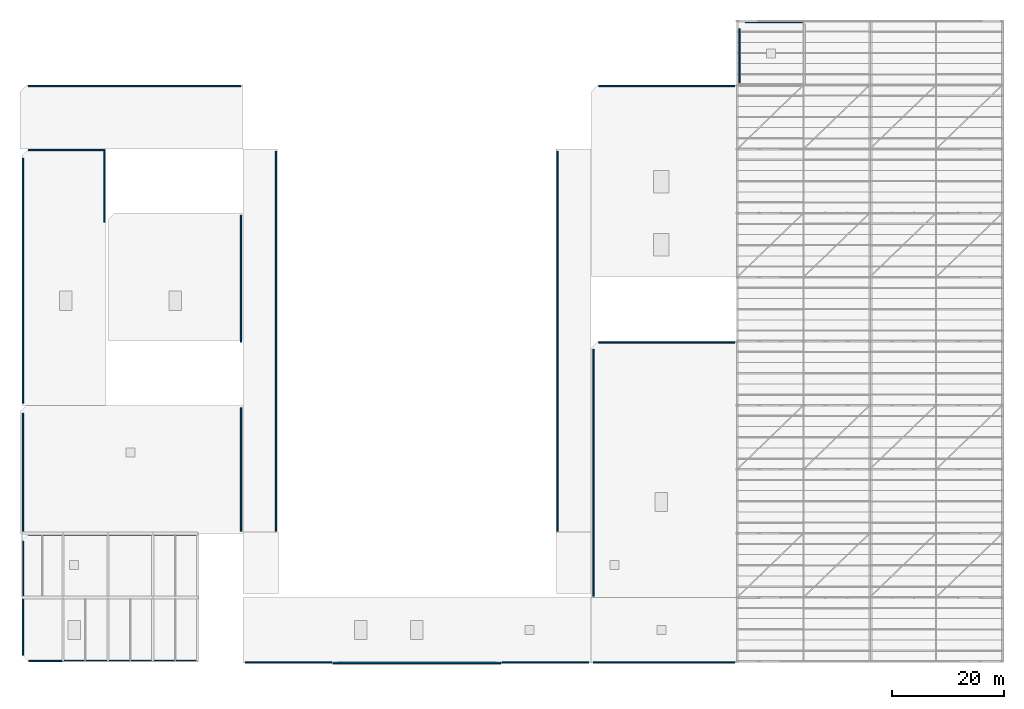
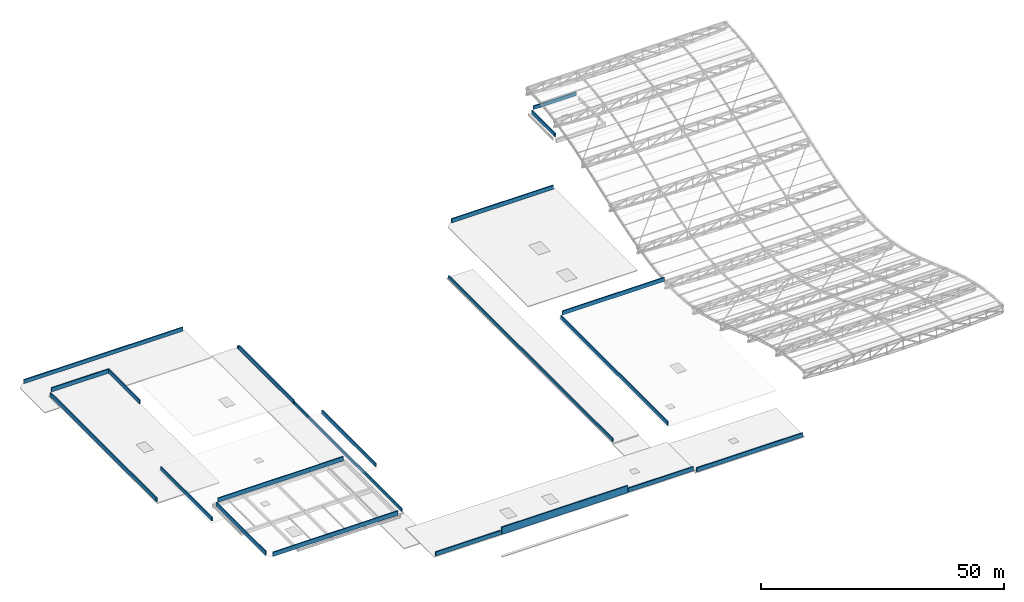
# One storey, part 64 of 65: 21 walls.
"""IFC4 building model written with IfcOpenShell, lengths in metres."""

from ifc_helpers import new_model, si_unit, direction, frame, frame_2d, origin, place, context, subcontext, project, spatial, rectangle, extrude, material, layer, layer_set, type_object, element, save


model = new_model("IFC4")

# Units and contexts
model_context = context("Model", 3, precision=1e-05, world=origin(), true_north=direction((0.0, 1.0)))
body_context = subcontext(model_context, "Body", "Model", "MODEL_VIEW")
ifc_project = project(units=[si_unit("LENGTHUNIT", "METRE"), si_unit("AREAUNIT", "SQUARE_METRE"), si_unit("VOLUMEUNIT", "CUBIC_METRE"), si_unit("PLANEANGLEUNIT", "RADIAN"), si_unit("MASSUNIT", "GRAM", prefix="KILO"), si_unit("POWERUNIT", "WATT"), si_unit("THERMODYNAMICTEMPERATUREUNIT", "KELVIN")], contexts=[model_context])

# Site, building, storey
site_placement = place(None, origin())
site = spatial("IfcSite", under=ifc_project, at=site_placement, CompositionType="ELEMENT")
building_placement = place(site_placement, origin())
building = spatial("IfcBuilding", under=site, at=building_placement, Name="Kelmbourne Parkland Aquatics Centre", CompositionType="ELEMENT")
storey_placement = place(building_placement, frame((0.0, 0.0, 27.0)))
storey = spatial("IfcBuildingStorey", under=building, at=storey_placement, Name="RF", CompositionType="ELEMENT", Elevation=27.0)

# Walls
ifc_material = material(Name="Russet clinker clay brickwork", Category="masonry")
ifc_layer = layer(ifc_material, 0.27001953125)
ifc_layer_set = layer_set([ifc_layer], Name="Russet clinker clay brickwork")
wall_type = type_object("IfcWallType", Name="W-PAR-270", PredefinedType="PARAPET", material=ifc_layer_set)
wall_1_placement = place(storey_placement, frame((56.0, 0.550048828125, -16.199951171875), z_axis=(0.0, 0.0, 1.0), x_axis=(1.0, 0.0, 0.0)))
element("IfcWall", 1, at=wall_1_placement, inside=storey, type_object=wall_type, Name="Corbelled brick roof parapet PAR-V3-PORTAL", PredefinedType="PARAPET", context=body_context, shape_type="SweptSolid", body=[
    extrude(rectangle(XDim=30.0, YDim=0.27001953125, at=frame_2d((15.0, 0.0))), origin(), (0.0, 0.0, 1.0), 1.800048828125),
])
for number, where, z_axis, x_axis, name in (
    (2, (40.39990234375, 0.64990234375, -16.199951171875), (0.0, 0.0, 1.0), (1.0, 0.0, 0.0), "Corbelled brick roof parapet PAR-V3-SW"),
    (3, (86.199951171875, 0.64990234375, -16.199951171875), (0.0, 0.0, 1.0), (1.0, 0.0, 0.0), "Corbelled brick roof parapet PAR-V3-SE"),
):
    element("IfcWall", number, at=place(storey_placement, frame(where, z_axis=z_axis, x_axis=x_axis)), inside=storey, type_object=wall_type, Name=name, PredefinedType="PARAPET", context=body_context, shape_type="SweptSolid", body=[
        extrude(rectangle(XDim=15.400146484375, YDim=0.27001953125, at=frame_2d((7.7001953125, 0.0))), origin(), (0.0, 0.0, 1.0), 1.0),
    ])
wall_2_placement = place(storey_placement, frame((102.39990234375, 0.64990234375, -16.800048828125), z_axis=(0.0, 0.0, 1.0), x_axis=(1.0, 0.0, 0.0)))
element("IfcWall", 4, at=wall_2_placement, inside=storey, type_object=wall_type, Name="Corbelled brick roof parapet PAR-V4-S", PredefinedType="PARAPET", context=body_context, shape_type="SweptSolid", body=[
    extrude(rectangle(XDim=25.2001953125, YDim=0.27001953125, at=frame_2d((12.60009765625, 0.0))), origin(), (0.0, 0.0, 1.0), 1.0),
])
wall_3_placement = place(storey_placement, frame((103.39990234375, 103.199951171875, -16.800048828125), z_axis=(0.0, 0.0, 1.0), x_axis=(1.0, 0.0, 0.0)))
element("IfcWall", 5, at=wall_3_placement, inside=storey, type_object=wall_type, Name="Corbelled brick roof parapet PAR-V4-N", PredefinedType="PARAPET", context=body_context, shape_type="SweptSolid", body=[
    extrude(rectangle(XDim=24.2001953125, YDim=0.27001953125, at=frame_2d((12.10009765625, 0.0))), origin(), (0.0, 0.0, 1.0), 1.0),
])
wall_4_placement = place(storey_placement, frame((102.39990234375, 12.39990234375, -12.300048828125), z_axis=(0.0, 0.0, 1.0), x_axis=(0.0, 1.0, 0.0)))
element("IfcWall", 6, at=wall_4_placement, inside=storey, type_object=wall_type, Name="Corbelled brick roof parapet PAR-V4-CLUB-W", PredefinedType="PARAPET", context=body_context, shape_type="SweptSolid", body=[
    extrude(rectangle(XDim=44.0, YDim=0.27001953125, at=frame_2d((22.0, 0.0))), origin(), (0.0, 0.0, 1.0), 1.0),
])
wall_5_placement = place(storey_placement, frame((103.39990234375, 57.60009765625, -12.300048828125), z_axis=(0.0, 0.0, 1.0), x_axis=(1.0, 0.0, 0.0)))
element("IfcWall", 7, at=wall_5_placement, inside=storey, type_object=wall_type, Name="Corbelled brick roof parapet PAR-V4-CLUB-N", PredefinedType="PARAPET", context=body_context, shape_type="SweptSolid", body=[
    extrude(rectangle(XDim=24.2001953125, YDim=0.27001953125, at=frame_2d((12.10009765625, 0.0))), origin(), (0.0, 0.0, 1.0), 1.0),
])
wall_6_placement = place(storey_placement, frame((1.800048828125, 103.199951171875, -21.60009765625), z_axis=(0.0, 0.0, 1.0), x_axis=(1.0, 0.0, 0.0)))
element("IfcWall", 8, at=wall_6_placement, inside=storey, type_object=wall_type, Name="Corbelled brick roof parapet PAR-V5-N0-N", PredefinedType="PARAPET", context=body_context, shape_type="SweptSolid", body=[
    extrude(rectangle(XDim=37.800048828125, YDim=0.27001953125, at=frame_2d((18.89990234375, 0.0))), origin(), (0.0, 0.0, 1.0), 0.9501953125),
])
wall_7_placement = place(storey_placement, frame((0.85009765625, 46.800048828125, -16.800048828125), z_axis=(0.0, 0.0, 1.0), x_axis=(0.0, 1.0, 0.0)))
element("IfcWall", 9, at=wall_7_placement, inside=storey, type_object=wall_type, Name="Corbelled brick roof parapet PAR-V5-W1-W", PredefinedType="PARAPET", context=body_context, shape_type="SweptSolid", body=[
    extrude(rectangle(XDim=43.599853515625, YDim=0.27001953125, at=frame_2d((21.7998046875, 0.0))), origin(), (0.0, 0.0, 1.0), 1.0),
])
wall_8_placement = place(storey_placement, frame((15.419921875, 79.0, -16.800048828125), z_axis=(0.0, 0.0, 1.0), x_axis=(0.0, 1.0, 0.0)))
element("IfcWall", 10, at=wall_8_placement, inside=storey, type_object=wall_type, Name="Corbelled brick roof parapet PAR-V5-W1-E", PredefinedType="PARAPET", context=body_context, shape_type="SweptSolid", body=[
    extrude(rectangle(XDim=12.85009765625, YDim=0.27001953125, at=frame_2d((6.425048828125, 0.0))), origin(), (0.0, 0.0, 1.0), 1.0),
])
wall_9_placement = place(storey_placement, frame((1.800048828125, 91.85009765625, -16.800048828125), z_axis=(0.0, 0.0, 1.0), x_axis=(1.0, 0.0, 0.0)))
element("IfcWall", 11, at=wall_9_placement, inside=storey, type_object=wall_type, Name="Corbelled brick roof parapet PAR-V5-W1-N", PredefinedType="PARAPET", context=body_context, shape_type="SweptSolid", body=[
    extrude(rectangle(XDim=13.619873046875, YDim=0.27001953125, at=frame_2d((6.81005859375, 0.0))), origin(), (0.0, 0.0, 1.0), 1.0),
])
wall_10_placement = place(storey_placement, frame((39.699951171875, 57.60009765625, -12.300048828125), z_axis=(0.0, 0.0, 1.0), x_axis=(0.0, 1.0, 0.0)))
element("IfcWall", 12, at=wall_10_placement, inside=storey, type_object=wall_type, Name="Corbelled brick roof parapet PAR-V5-M2-E", PredefinedType="PARAPET", context=body_context, shape_type="SweptSolid", body=[
    extrude(rectangle(XDim=22.599853515625, YDim=0.27001953125, at=frame_2d((11.2998046875, 0.0))), origin(), (0.0, 0.0, 1.0), 0.949951171875),
])
wall_11_placement = place(storey_placement, frame((0.85009765625, 24.0, -7.800048828125), z_axis=(0.0, 0.0, 1.0), x_axis=(0.0, 1.0, 0.0)))
element("IfcWall", 13, at=wall_11_placement, inside=storey, type_object=wall_type, Name="Corbelled brick roof parapet PAR-V5-M3-W", PredefinedType="PARAPET", context=body_context, shape_type="SweptSolid", body=[
    extrude(rectangle(XDim=21.0, YDim=0.27001953125, at=frame_2d((10.5, 0.0))), origin(), (0.0, 0.0, 1.0), 0.949951171875),
])
wall_12_placement = place(storey_placement, frame((39.699951171875, 24.0, -7.800048828125), z_axis=(0.0, 0.0, 1.0), x_axis=(0.0, 1.0, 0.0)))
element("IfcWall", 14, at=wall_12_placement, inside=storey, type_object=wall_type, Name="Corbelled brick roof parapet PAR-V5-M3-E", PredefinedType="PARAPET", context=body_context, shape_type="SweptSolid", body=[
    extrude(rectangle(XDim=22.0, YDim=0.27001953125, at=frame_2d((11.0, 0.0))), origin(), (0.0, 0.0, 1.0), 0.949951171875),
])
wall_13_placement = place(storey_placement, frame((1.89990234375, 0.919921875, -3.0), z_axis=(0.0, 0.0, 1.0), x_axis=(1.0, 0.0, 0.0)))
element("IfcWall", 15, at=wall_13_placement, inside=storey, type_object=wall_type, Name="Corbelled brick roof parapet PAR-V5-TOP-S", PredefinedType="PARAPET", context=body_context, shape_type="SweptSolid", body=[
    extrude(rectangle(XDim=29.7001953125, YDim=0.27001953125, at=frame_2d((14.85009765625, 0.0))), origin(), (0.0, 0.0, 1.0), 1.050048828125),
])
wall_14_placement = place(storey_placement, frame((0.85009765625, 1.89990234375, -3.0), z_axis=(0.0, 0.0, 1.0), x_axis=(0.0, 1.0, 0.0)))
element("IfcWall", 16, at=wall_14_placement, inside=storey, type_object=wall_type, Name="Corbelled brick roof parapet PAR-V5-TOP-W", PredefinedType="PARAPET", context=body_context, shape_type="SweptSolid", body=[
    extrude(rectangle(XDim=20.300048828125, YDim=0.27001953125, at=frame_2d((10.14990234375, 0.0))), origin(), (0.0, 0.0, 1.0), 1.050048828125),
])
wall_15_placement = place(storey_placement, frame((1.800048828125, 23.39990234375, -3.0), z_axis=(0.0, 0.0, 1.0), x_axis=(1.0, 0.0, 0.0)))
element("IfcWall", 17, at=wall_15_placement, inside=storey, type_object=wall_type, Name="Corbelled brick roof parapet PAR-V5-TOP-N", PredefinedType="PARAPET", context=body_context, shape_type="SweptSolid", body=[
    extrude(rectangle(XDim=29.800048828125, YDim=0.27001953125, at=frame_2d((14.89990234375, 0.0))), origin(), (0.0, 0.0, 1.0), 1.050048828125),
])
wall_16_placement = place(storey_placement, frame((128.39990234375, 103.800048828125, -4.39990234375), z_axis=(0.0, 0.0, 1.0), x_axis=(0.0, 1.0, 0.0)))
element("IfcWall", 18, at=wall_16_placement, inside=storey, type_object=wall_type, Name="Corbelled brick roof parapet PAR-V2-CR5-W", PredefinedType="PARAPET", context=body_context, shape_type="SweptSolid", body=[
    extrude(rectangle(XDim=9.599853515625, YDim=0.27001953125, at=frame_2d((4.7998046875, 0.0))), origin(), (0.0, 0.0, 1.0), 0.89990234375),
])
wall_17_placement = place(storey_placement, frame((129.39990234375, 114.60009765625, -4.39990234375), z_axis=(0.0, 0.0, 1.0), x_axis=(1.0, 0.0, 0.0)))
element("IfcWall", 19, at=wall_17_placement, inside=storey, type_object=wall_type, Name="Corbelled brick roof parapet PAR-V2-CR5-N", PredefinedType="PARAPET", context=body_context, shape_type="SweptSolid", body=[
    extrude(rectangle(XDim=10.2001953125, YDim=0.27001953125, at=frame_2d((5.10009765625, 0.0))), origin(), (0.0, 0.0, 1.0), 0.89990234375),
])
for number, where, z_axis, x_axis, name in (
    (20, (45.949951171875, 24.0, -21.199951171875), (0.0, 0.0, 1.0), (0.0, 1.0, 0.0), "Corbelled brick roof parapet PAR-V6-WEST"),
    (21, (96.050048828125, 24.0, -21.199951171875), (0.0, 0.0, 1.0), (0.0, 1.0, 0.0), "Corbelled brick roof parapet PAR-V6-EAST"),
):
    element("IfcWall", number, at=place(storey_placement, frame(where, z_axis=z_axis, x_axis=x_axis)), inside=storey, type_object=wall_type, Name=name, PredefinedType="PARAPET", context=body_context, shape_type="SweptSolid", body=[
        extrude(rectangle(XDim=67.60009765625, YDim=0.27001953125, at=frame_2d((33.800048828125, 0.0))), origin(), (0.0, 0.0, 1.0), 0.75),
    ])

save(model, "model.ifc")
